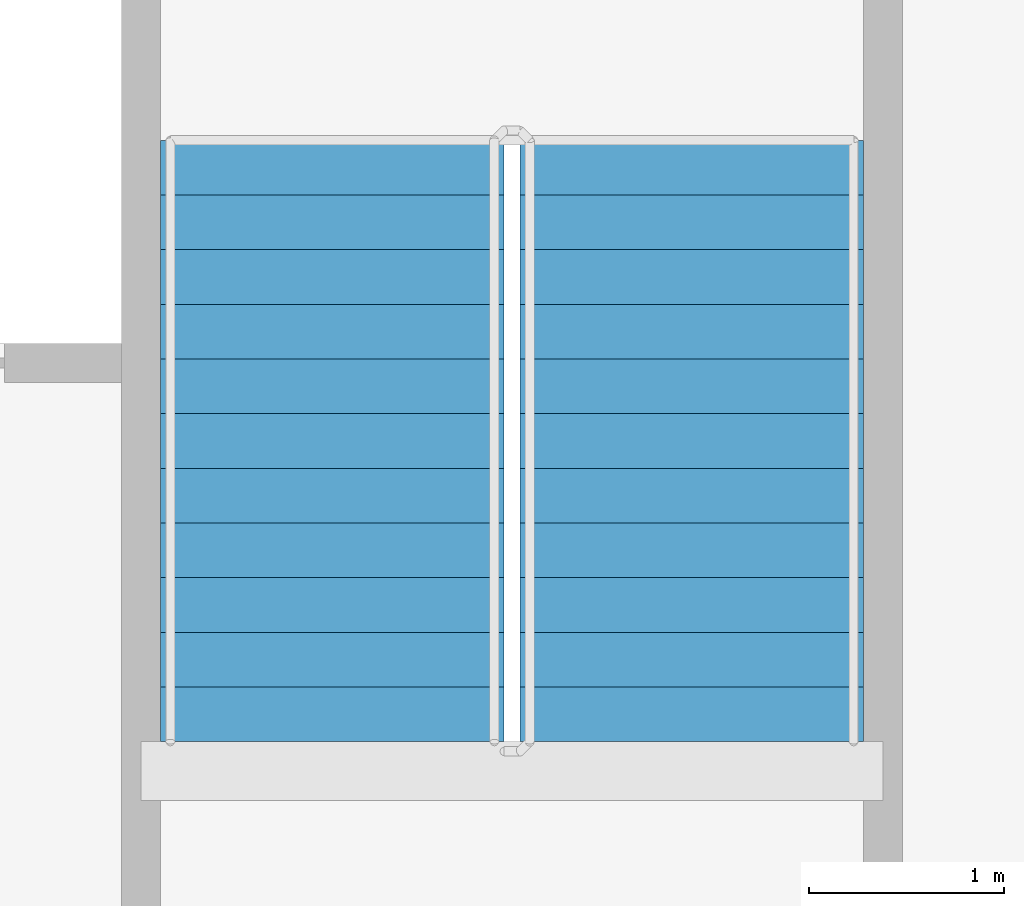
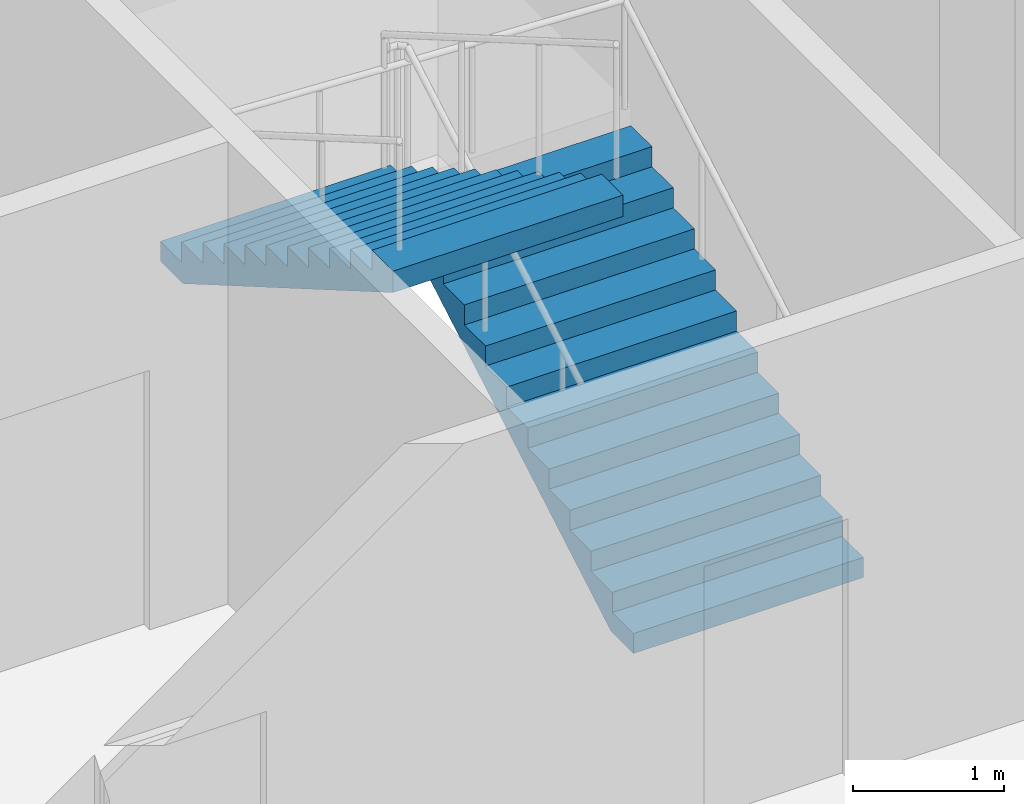
# One storey, part 10 of 15: 2 stair flights, 1 element without a shape of its own.
"""IFC4 building model written with IfcOpenShell, lengths in metres."""

from ifc_helpers import new_model, si_unit, direction, frame, origin, place, context, subcontext, project, spatial, faceted_brep, material, type_object, element, aggregate, save


model = new_model("IFC4")

# Units and contexts
model_context = context("Model", 3, precision=1e-05, world=origin(), true_north=direction((0.0, 1.0)))
body_context = subcontext(model_context, "Body", "Model", "MODEL_VIEW")
ifc_project = project(units=[si_unit("LENGTHUNIT", "METRE"), si_unit("AREAUNIT", "SQUARE_METRE"), si_unit("VOLUMEUNIT", "CUBIC_METRE"), si_unit("PLANEANGLEUNIT", "RADIAN"), si_unit("MASSUNIT", "GRAM", prefix="KILO")], contexts=[model_context])

# Site, building, storey
site_placement = place(None, origin())
site = spatial("IfcSite", under=ifc_project, at=site_placement, CompositionType="ELEMENT")
building_placement = place(site_placement, origin())
building = spatial("IfcBuilding", under=site, at=building_placement, Name="Tarsis Ring Headquarters", CompositionType="ELEMENT")
storey_placement = place(building_placement, frame((0.0, 0.0, 67.300048828125)))
storey = spatial("IfcBuildingStorey", under=building, at=storey_placement, Name="L14", CompositionType="ELEMENT", Elevation=67.300048828125)

# Stair, stair flights
ifc_material_1 = material(Name="Core stair 1760")
stair_type = type_object("IfcStairType", Name="Core stair 1760", PredefinedType="HALF_TURN_STAIR", material=ifc_material_1)
stair_placement = place(storey_placement, origin())
stair = element("IfcStair", 1, at=stair_placement, inside=storey, type_object=stair_type, Name="L14 Exit stair B", PredefinedType="HALF_TURN_STAIR")
ifc_material_2 = material(Name="Concrete C40/50", Category="concrete")
stair_flight_type = type_object("IfcStairFlightType", Name="Core stair flight 1760", PredefinedType="STRAIGHT", material=ifc_material_2)
stair_flight_1_placement = place(storey_placement, frame((5.419921875, 3.659912109375, 0.0), z_axis=(0.0, 0.0, 1.0), x_axis=(0.0, 1.0, 0.0)))
stair_flight_1 = element("IfcStairFlight", 2, at=stair_flight_1_placement, type_object=stair_flight_type, Name="Stair ST2 flight 1", NumberOfRisers=12, NumberOfTreads=11, PredefinedType="STRAIGHT", RiserHeight=0.1625, TreadLength=0.28, context=body_context, shape_type="Brep", body=[
    faceted_brep([(0.0, 0.8798828125, 0.0), (0.0, 0.8798828125, 0.16259765625), (0.280029296875, 0.8798828125, 0.16259765625), (0.280029296875, 0.8798828125, 0.324951171875), (0.56005859375, 0.8798828125, 0.324951171875), (0.56005859375, 0.8798828125, 0.487548828125), (0.840087890625, 0.8798828125, 0.487548828125), (0.840087890625, 0.8798828125, 0.64990234375), (1.1201171875, 0.8798828125, 0.64990234375), (1.1201171875, 0.8798828125, 0.8125), (1.39990234375, 0.8798828125, 0.8125), (1.39990234375, 0.8798828125, 0.97509765625), (1.679931640625, 0.8798828125, 0.97509765625), (1.679931640625, 0.8798828125, 1.137451171875), (1.9599609375, 0.8798828125, 1.137451171875), (1.9599609375, 0.8798828125, 1.300048828125), (2.239990234375, 0.8798828125, 1.300048828125), (2.239990234375, 0.8798828125, 1.46240234375), (2.52001953125, 0.8798828125, 1.46240234375), (2.52001953125, 0.8798828125, 1.625), (2.800048828125, 0.8798828125, 1.625), (2.800048828125, 0.8798828125, 1.78759765625), (3.080078125, 0.8798828125, 1.78759765625), (3.080078125, 0.8798828125, 1.6142578125), (0.298583984375, 0.8798828125, 0.0), (0.298583984375, -0.8798828125, 0.0), (3.080078125, -0.8798828125, 1.6142578125), (3.080078125, -0.8798828125, 1.78759765625), (2.800048828125, -0.8798828125, 1.78759765625), (2.800048828125, -0.8798828125, 1.625), (2.52001953125, -0.8798828125, 1.625), (2.52001953125, -0.8798828125, 1.46240234375), (2.239990234375, -0.8798828125, 1.46240234375), (2.239990234375, -0.8798828125, 1.300048828125), (1.9599609375, -0.8798828125, 1.300048828125), (1.9599609375, -0.8798828125, 1.137451171875), (1.679931640625, -0.8798828125, 1.137451171875), (1.679931640625, -0.8798828125, 0.97509765625), (1.39990234375, -0.8798828125, 0.97509765625), (1.39990234375, -0.8798828125, 0.8125), (1.1201171875, -0.8798828125, 0.8125), (1.1201171875, -0.8798828125, 0.64990234375), (0.840087890625, -0.8798828125, 0.64990234375), (0.840087890625, -0.8798828125, 0.487548828125), (0.56005859375, -0.8798828125, 0.487548828125), (0.56005859375, -0.8798828125, 0.324951171875), (0.280029296875, -0.8798828125, 0.324951171875), (0.280029296875, -0.8798828125, 0.16259765625), (0.0, -0.8798828125, 0.16259765625), (0.0, -0.8798828125, 0.0), (0.0, -0.43994140625, 0.16259765625), (0.0, -0.43994140625, 0.0), (0.0, 0.0, 0.16259765625), (0.0, 0.0, 0.0), (0.0, 0.43994140625, 0.16259765625), (0.0, 0.43994140625, 0.0), (0.280029296875, -0.43994140625, 0.16259765625), (0.280029296875, 0.0, 0.16259765625), (0.280029296875, 0.43994140625, 0.16259765625), (0.280029296875, -0.43994140625, 0.324951171875), (0.280029296875, 0.0, 0.324951171875), (0.280029296875, 0.43994140625, 0.324951171875), (0.56005859375, -0.43994140625, 0.324951171875), (0.56005859375, 0.0, 0.324951171875), (0.56005859375, 0.43994140625, 0.324951171875), (0.56005859375, -0.43994140625, 0.487548828125), (0.56005859375, 0.0, 0.487548828125), (0.56005859375, 0.43994140625, 0.487548828125), (0.840087890625, -0.43994140625, 0.487548828125), (0.840087890625, 0.0, 0.487548828125), (0.840087890625, 0.43994140625, 0.487548828125), (0.840087890625, -0.43994140625, 0.64990234375), (0.840087890625, 0.0, 0.64990234375), (0.840087890625, 0.43994140625, 0.64990234375), (1.1201171875, -0.43994140625, 0.64990234375), (1.1201171875, 0.0, 0.64990234375), (1.1201171875, 0.43994140625, 0.64990234375), (1.1201171875, -0.43994140625, 0.8125), (1.1201171875, 0.0, 0.8125), (1.1201171875, 0.43994140625, 0.8125), (1.39990234375, -0.43994140625, 0.8125), (1.39990234375, 0.0, 0.8125), (1.39990234375, 0.43994140625, 0.8125), (1.39990234375, -0.43994140625, 0.97509765625), (1.39990234375, 0.0, 0.97509765625), (1.39990234375, 0.43994140625, 0.97509765625), (1.679931640625, -0.43994140625, 0.97509765625), (1.679931640625, 0.0, 0.97509765625), (1.679931640625, 0.43994140625, 0.97509765625), (1.679931640625, -0.43994140625, 1.137451171875), (1.679931640625, 0.0, 1.137451171875), (1.679931640625, 0.43994140625, 1.137451171875), (1.9599609375, -0.43994140625, 1.137451171875), (1.9599609375, 0.0, 1.137451171875), (1.9599609375, 0.43994140625, 1.137451171875), (1.9599609375, -0.43994140625, 1.300048828125), (1.9599609375, 0.0, 1.300048828125), (1.9599609375, 0.43994140625, 1.300048828125), (2.239990234375, -0.43994140625, 1.300048828125), (2.239990234375, 0.0, 1.300048828125), (2.239990234375, 0.43994140625, 1.300048828125), (2.239990234375, -0.43994140625, 1.46240234375), (2.239990234375, 0.0, 1.46240234375), (2.239990234375, 0.43994140625, 1.46240234375), (2.52001953125, -0.43994140625, 1.46240234375), (2.52001953125, 0.0, 1.46240234375), (2.52001953125, 0.43994140625, 1.46240234375), (2.52001953125, -0.43994140625, 1.625), (2.52001953125, 0.0, 1.625), (2.52001953125, 0.43994140625, 1.625), (2.800048828125, -0.43994140625, 1.625), (2.800048828125, 0.0, 1.625), (2.800048828125, 0.43994140625, 1.625), (2.800048828125, -0.43994140625, 1.78759765625), (2.800048828125, 0.0, 1.78759765625), (2.800048828125, 0.43994140625, 1.78759765625), (3.080078125, -0.43994140625, 1.78759765625), (3.080078125, 0.0, 1.78759765625), (3.080078125, 0.43994140625, 1.78759765625), (3.080078125, -0.43994140625, 1.6142578125), (3.080078125, 0.0, 1.6142578125), (3.080078125, 0.43994140625, 1.6142578125), (0.298583984375, -0.43994140625, 0.0), (0.298583984375, 0.0, 0.0), (0.298583984375, 0.43994140625, 0.0)], [[[0, 1, 2, 3, 4, 5, 6, 7, 8, 9, 10, 11, 12, 13, 14, 15, 16, 17, 18, 19, 20, 21, 22, 23, 24]], [[25, 26, 27, 28, 29, 30, 31, 32, 33, 34, 35, 36, 37, 38, 39, 40, 41, 42, 43, 44, 45, 46, 47, 48, 49]], [[49, 48, 50, 51]], [[51, 50, 52, 53]], [[53, 52, 54, 55]], [[55, 54, 1, 0]], [[48, 47, 56, 50]], [[50, 56, 57, 52]], [[52, 57, 58, 54]], [[54, 58, 2, 1]], [[47, 46, 59, 56]], [[56, 59, 60, 57]], [[57, 60, 61, 58]], [[58, 61, 3, 2]], [[46, 45, 62, 59]], [[59, 62, 63, 60]], [[60, 63, 64, 61]], [[61, 64, 4, 3]], [[45, 44, 65, 62]], [[62, 65, 66, 63]], [[63, 66, 67, 64]], [[64, 67, 5, 4]], [[44, 43, 68, 65]], [[65, 68, 69, 66]], [[66, 69, 70, 67]], [[67, 70, 6, 5]], [[43, 42, 71, 68]], [[68, 71, 72, 69]], [[69, 72, 73, 70]], [[70, 73, 7, 6]], [[42, 41, 74, 71]], [[71, 74, 75, 72]], [[72, 75, 76, 73]], [[73, 76, 8, 7]], [[41, 40, 77, 74]], [[74, 77, 78, 75]], [[75, 78, 79, 76]], [[76, 79, 9, 8]], [[40, 39, 80, 77]], [[77, 80, 81, 78]], [[78, 81, 82, 79]], [[79, 82, 10, 9]], [[39, 38, 83, 80]], [[80, 83, 84, 81]], [[81, 84, 85, 82]], [[82, 85, 11, 10]], [[38, 37, 86, 83]], [[83, 86, 87, 84]], [[84, 87, 88, 85]], [[85, 88, 12, 11]], [[37, 36, 89, 86]], [[86, 89, 90, 87]], [[87, 90, 91, 88]], [[88, 91, 13, 12]], [[36, 35, 92, 89]], [[89, 92, 93, 90]], [[90, 93, 94, 91]], [[91, 94, 14, 13]], [[35, 34, 95, 92]], [[92, 95, 96, 93]], [[93, 96, 97, 94]], [[94, 97, 15, 14]], [[34, 33, 98, 95]], [[95, 98, 99, 96]], [[96, 99, 100, 97]], [[97, 100, 16, 15]], [[33, 32, 101, 98]], [[98, 101, 102, 99]], [[99, 102, 103, 100]], [[100, 103, 17, 16]], [[32, 31, 104, 101]], [[101, 104, 105, 102]], [[102, 105, 106, 103]], [[103, 106, 18, 17]], [[31, 30, 107, 104]], [[104, 107, 108, 105]], [[105, 108, 109, 106]], [[106, 109, 19, 18]], [[30, 29, 110, 107]], [[107, 110, 111, 108]], [[108, 111, 112, 109]], [[109, 112, 20, 19]], [[29, 28, 113, 110]], [[110, 113, 114, 111]], [[111, 114, 115, 112]], [[112, 115, 21, 20]], [[28, 27, 116, 113]], [[113, 116, 117, 114]], [[114, 117, 118, 115]], [[115, 118, 22, 21]], [[27, 26, 119, 116]], [[116, 119, 120, 117]], [[117, 120, 121, 118]], [[118, 121, 23, 22]], [[26, 25, 122, 119]], [[119, 122, 123, 120]], [[120, 123, 124, 121]], [[121, 124, 24, 23]], [[25, 49, 51, 122]], [[122, 51, 53, 123]], [[123, 53, 55, 124]], [[124, 55, 0, 24]]]),
])
stair_flight_2_placement = place(storey_placement, frame((3.580078125, 6.739990234375, 1.949951171875), z_axis=(0.0, 0.0, 1.0), x_axis=(0.0, -1.0, 0.0)))
stair_flight_2 = element("IfcStairFlight", 3, at=stair_flight_2_placement, type_object=stair_flight_type, Name="Stair ST2 flight 2", NumberOfRisers=12, NumberOfTreads=11, PredefinedType="STRAIGHT", RiserHeight=0.1625, TreadLength=0.28, context=body_context, shape_type="Brep", body=[
    faceted_brep([(0.0, 0.8798828125, 0.0), (0.0, 0.8798828125, 0.16259765625), (0.280029296875, 0.8798828125, 0.16259765625), (0.280029296875, 0.8798828125, 0.324951171875), (0.56005859375, 0.8798828125, 0.324951171875), (0.56005859375, 0.8798828125, 0.487548828125), (0.840087890625, 0.8798828125, 0.487548828125), (0.840087890625, 0.8798828125, 0.64990234375), (1.1201171875, 0.8798828125, 0.64990234375), (1.1201171875, 0.8798828125, 0.8125), (1.39990234375, 0.8798828125, 0.8125), (1.39990234375, 0.8798828125, 0.97509765625), (1.679931640625, 0.8798828125, 0.97509765625), (1.679931640625, 0.8798828125, 1.137451171875), (1.9599609375, 0.8798828125, 1.137451171875), (1.9599609375, 0.8798828125, 1.300048828125), (2.239990234375, 0.8798828125, 1.300048828125), (2.239990234375, 0.8798828125, 1.46240234375), (2.52001953125, 0.8798828125, 1.46240234375), (2.52001953125, 0.8798828125, 1.625), (2.800048828125, 0.8798828125, 1.625), (2.800048828125, 0.8798828125, 1.78759765625), (3.080078125, 0.8798828125, 1.78759765625), (3.080078125, 0.8798828125, 1.6142578125), (0.298583984375, 0.8798828125, 0.0), (0.298583984375, -0.8798828125, 0.0), (3.080078125, -0.8798828125, 1.6142578125), (3.080078125, -0.8798828125, 1.78759765625), (2.800048828125, -0.8798828125, 1.78759765625), (2.800048828125, -0.8798828125, 1.625), (2.52001953125, -0.8798828125, 1.625), (2.52001953125, -0.8798828125, 1.46240234375), (2.239990234375, -0.8798828125, 1.46240234375), (2.239990234375, -0.8798828125, 1.300048828125), (1.9599609375, -0.8798828125, 1.300048828125), (1.9599609375, -0.8798828125, 1.137451171875), (1.679931640625, -0.8798828125, 1.137451171875), (1.679931640625, -0.8798828125, 0.97509765625), (1.39990234375, -0.8798828125, 0.97509765625), (1.39990234375, -0.8798828125, 0.8125), (1.1201171875, -0.8798828125, 0.8125), (1.1201171875, -0.8798828125, 0.64990234375), (0.840087890625, -0.8798828125, 0.64990234375), (0.840087890625, -0.8798828125, 0.487548828125), (0.56005859375, -0.8798828125, 0.487548828125), (0.56005859375, -0.8798828125, 0.324951171875), (0.280029296875, -0.8798828125, 0.324951171875), (0.280029296875, -0.8798828125, 0.16259765625), (0.0, -0.8798828125, 0.16259765625), (0.0, -0.8798828125, 0.0), (0.0, -0.43994140625, 0.16259765625), (0.0, -0.43994140625, 0.0), (0.0, 0.0, 0.16259765625), (0.0, 0.0, 0.0), (0.0, 0.43994140625, 0.16259765625), (0.0, 0.43994140625, 0.0), (0.280029296875, -0.43994140625, 0.16259765625), (0.280029296875, 0.0, 0.16259765625), (0.280029296875, 0.43994140625, 0.16259765625), (0.280029296875, -0.43994140625, 0.324951171875), (0.280029296875, 0.0, 0.324951171875), (0.280029296875, 0.43994140625, 0.324951171875), (0.56005859375, -0.43994140625, 0.324951171875), (0.56005859375, 0.0, 0.324951171875), (0.56005859375, 0.43994140625, 0.324951171875), (0.56005859375, -0.43994140625, 0.487548828125), (0.56005859375, 0.0, 0.487548828125), (0.56005859375, 0.43994140625, 0.487548828125), (0.840087890625, -0.43994140625, 0.487548828125), (0.840087890625, 0.0, 0.487548828125), (0.840087890625, 0.43994140625, 0.487548828125), (0.840087890625, -0.43994140625, 0.64990234375), (0.840087890625, 0.0, 0.64990234375), (0.840087890625, 0.43994140625, 0.64990234375), (1.1201171875, -0.43994140625, 0.64990234375), (1.1201171875, 0.0, 0.64990234375), (1.1201171875, 0.43994140625, 0.64990234375), (1.1201171875, -0.43994140625, 0.8125), (1.1201171875, 0.0, 0.8125), (1.1201171875, 0.43994140625, 0.8125), (1.39990234375, -0.43994140625, 0.8125), (1.39990234375, 0.0, 0.8125), (1.39990234375, 0.43994140625, 0.8125), (1.39990234375, -0.43994140625, 0.97509765625), (1.39990234375, 0.0, 0.97509765625), (1.39990234375, 0.43994140625, 0.97509765625), (1.679931640625, -0.43994140625, 0.97509765625), (1.679931640625, 0.0, 0.97509765625), (1.679931640625, 0.43994140625, 0.97509765625), (1.679931640625, -0.43994140625, 1.137451171875), (1.679931640625, 0.0, 1.137451171875), (1.679931640625, 0.43994140625, 1.137451171875), (1.9599609375, -0.43994140625, 1.137451171875), (1.9599609375, 0.0, 1.137451171875), (1.9599609375, 0.43994140625, 1.137451171875), (1.9599609375, -0.43994140625, 1.300048828125), (1.9599609375, 0.0, 1.300048828125), (1.9599609375, 0.43994140625, 1.300048828125), (2.239990234375, -0.43994140625, 1.300048828125), (2.239990234375, 0.0, 1.300048828125), (2.239990234375, 0.43994140625, 1.300048828125), (2.239990234375, -0.43994140625, 1.46240234375), (2.239990234375, 0.0, 1.46240234375), (2.239990234375, 0.43994140625, 1.46240234375), (2.52001953125, -0.43994140625, 1.46240234375), (2.52001953125, 0.0, 1.46240234375), (2.52001953125, 0.43994140625, 1.46240234375), (2.52001953125, -0.43994140625, 1.625), (2.52001953125, 0.0, 1.625), (2.52001953125, 0.43994140625, 1.625), (2.800048828125, -0.43994140625, 1.625), (2.800048828125, 0.0, 1.625), (2.800048828125, 0.43994140625, 1.625), (2.800048828125, -0.43994140625, 1.78759765625), (2.800048828125, 0.0, 1.78759765625), (2.800048828125, 0.43994140625, 1.78759765625), (3.080078125, -0.43994140625, 1.78759765625), (3.080078125, 0.0, 1.78759765625), (3.080078125, 0.43994140625, 1.78759765625), (3.080078125, -0.43994140625, 1.6142578125), (3.080078125, 0.0, 1.6142578125), (3.080078125, 0.43994140625, 1.6142578125), (0.298583984375, -0.43994140625, 0.0), (0.298583984375, 0.0, 0.0), (0.298583984375, 0.43994140625, 0.0)], [[[0, 1, 2, 3, 4, 5, 6, 7, 8, 9, 10, 11, 12, 13, 14, 15, 16, 17, 18, 19, 20, 21, 22, 23, 24]], [[25, 26, 27, 28, 29, 30, 31, 32, 33, 34, 35, 36, 37, 38, 39, 40, 41, 42, 43, 44, 45, 46, 47, 48, 49]], [[49, 48, 50, 51]], [[51, 50, 52, 53]], [[53, 52, 54, 55]], [[55, 54, 1, 0]], [[48, 47, 56, 50]], [[50, 56, 57, 52]], [[52, 57, 58, 54]], [[54, 58, 2, 1]], [[47, 46, 59, 56]], [[56, 59, 60, 57]], [[57, 60, 61, 58]], [[58, 61, 3, 2]], [[46, 45, 62, 59]], [[59, 62, 63, 60]], [[60, 63, 64, 61]], [[61, 64, 4, 3]], [[45, 44, 65, 62]], [[62, 65, 66, 63]], [[63, 66, 67, 64]], [[64, 67, 5, 4]], [[44, 43, 68, 65]], [[65, 68, 69, 66]], [[66, 69, 70, 67]], [[67, 70, 6, 5]], [[43, 42, 71, 68]], [[68, 71, 72, 69]], [[69, 72, 73, 70]], [[70, 73, 7, 6]], [[42, 41, 74, 71]], [[71, 74, 75, 72]], [[72, 75, 76, 73]], [[73, 76, 8, 7]], [[41, 40, 77, 74]], [[74, 77, 78, 75]], [[75, 78, 79, 76]], [[76, 79, 9, 8]], [[40, 39, 80, 77]], [[77, 80, 81, 78]], [[78, 81, 82, 79]], [[79, 82, 10, 9]], [[39, 38, 83, 80]], [[80, 83, 84, 81]], [[81, 84, 85, 82]], [[82, 85, 11, 10]], [[38, 37, 86, 83]], [[83, 86, 87, 84]], [[84, 87, 88, 85]], [[85, 88, 12, 11]], [[37, 36, 89, 86]], [[86, 89, 90, 87]], [[87, 90, 91, 88]], [[88, 91, 13, 12]], [[36, 35, 92, 89]], [[89, 92, 93, 90]], [[90, 93, 94, 91]], [[91, 94, 14, 13]], [[35, 34, 95, 92]], [[92, 95, 96, 93]], [[93, 96, 97, 94]], [[94, 97, 15, 14]], [[34, 33, 98, 95]], [[95, 98, 99, 96]], [[96, 99, 100, 97]], [[97, 100, 16, 15]], [[33, 32, 101, 98]], [[98, 101, 102, 99]], [[99, 102, 103, 100]], [[100, 103, 17, 16]], [[32, 31, 104, 101]], [[101, 104, 105, 102]], [[102, 105, 106, 103]], [[103, 106, 18, 17]], [[31, 30, 107, 104]], [[104, 107, 108, 105]], [[105, 108, 109, 106]], [[106, 109, 19, 18]], [[30, 29, 110, 107]], [[107, 110, 111, 108]], [[108, 111, 112, 109]], [[109, 112, 20, 19]], [[29, 28, 113, 110]], [[110, 113, 114, 111]], [[111, 114, 115, 112]], [[112, 115, 21, 20]], [[28, 27, 116, 113]], [[113, 116, 117, 114]], [[114, 117, 118, 115]], [[115, 118, 22, 21]], [[27, 26, 119, 116]], [[116, 119, 120, 117]], [[117, 120, 121, 118]], [[118, 121, 23, 22]], [[26, 25, 122, 119]], [[119, 122, 123, 120]], [[120, 123, 124, 121]], [[121, 124, 24, 23]], [[25, 49, 51, 122]], [[122, 51, 53, 123]], [[123, 53, 55, 124]], [[124, 55, 0, 24]]]),
])
aggregate(stair, [stair_flight_1, stair_flight_2])

save(model, "model.ifc")
